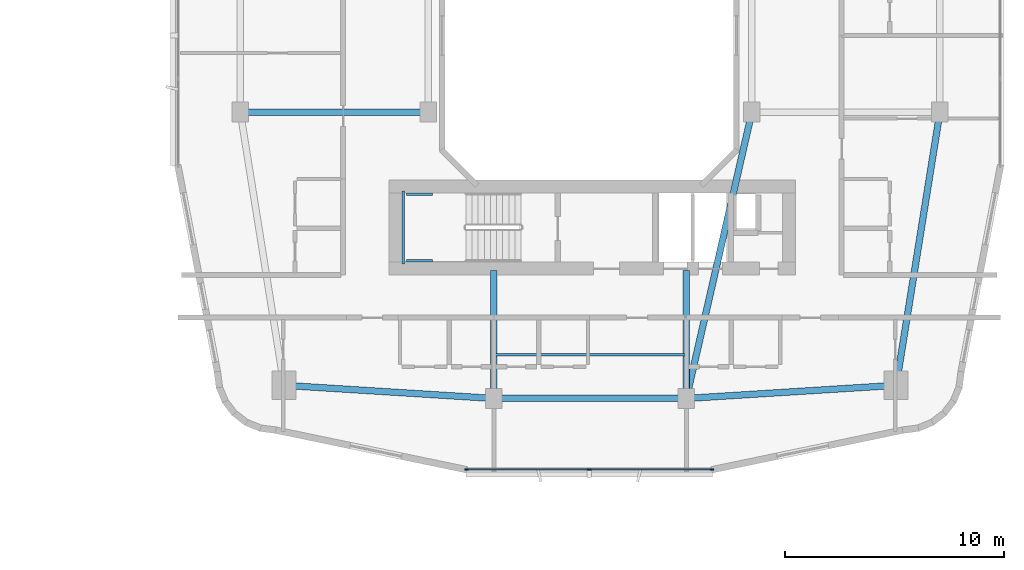
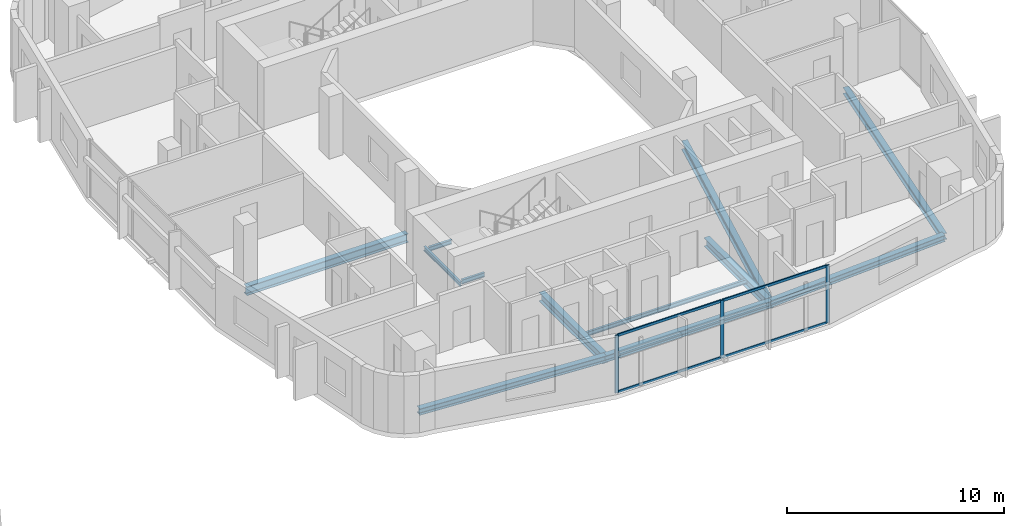
# One storey, part 8 of 26: 12 beams, 7 members, 1 element without a shape of its own.
"""IFC4 building model written with IfcOpenShell, lengths in metres."""

import ifcopenshell
import ifcopenshell.guid

model = None  # the IFC model being written
_history = None  # IfcOwnerHistory: only IFC2X3 demands one
_inside = {}  # id of a spatial element -> (the spatial element, [elements in it])
_under = {}  # id of a project, library or spatial element -> (it, [spatial elements below it])
_declared = {}  # id of a project -> (the project, [libraries it declares])
_typed = {}  # id of a type object -> (the type object, [elements of that type])
_made_of = {}  # id of a material, layer set ... -> (it, [elements and type objects made of it])


def new_model(schema):
    """Start an empty IFC model of exactly this schema.

    Asked for "IFC4X3", IfcOpenShell would pick the latest addendum, in which some entities
    have other attributes; the version numbers below select the first issue.
    IFC2X3 requires an IfcOwnerHistory on every rooted entity: one is made here for all.
    """
    global model, _history
    if schema == "IFC4X3":
        model = ifcopenshell.file(schema_version=(4, 3, 0, 0))
    else:
        model = ifcopenshell.file(schema=schema)
    _inside.clear()
    _under.clear()
    _declared.clear()
    _typed.clear()
    _made_of.clear()
    _history = None
    if model.schema == "IFC2X3":
        org = make("IfcOrganization", Name="unknown")
        user = make(
            "IfcPersonAndOrganization",
            ThePerson=make("IfcPerson", FamilyName="unknown"),
            TheOrganization=org,
        )
        app = make(
            "IfcApplication",
            ApplicationDeveloper=org,
            Version="unknown",
            ApplicationFullName="unknown",
            ApplicationIdentifier="unknown",
        )
        _history = make(
            "IfcOwnerHistory",
            OwningUser=user,
            OwningApplication=app,
            ChangeAction="ADDED",
            CreationDate=0,
        )
    return model


def make(cls, **values):
    """One entity of the class cls with the attributes given. An attribute that is None is left unset."""
    return model.create_entity(
        cls, **{name: value for name, value in values.items() if value is not None}
    )


def rooted(cls, **values):
    """An entity with a GlobalId (a new one), such as an element, a storey or a relation."""
    return make(cls, GlobalId=ifcopenshell.guid.new(), OwnerHistory=_history, **values)


def si_unit(unit_type, name, prefix=None):
    """IfcSIUnit, for example si_unit("LENGTHUNIT", "METRE", prefix="MILLI")."""
    return make("IfcSIUnit", UnitType=unit_type, Prefix=prefix, Name=name)


def derived_unit(unit_type, elements):
    """IfcDerivedUnit: a product of units, each with its exponent."""
    return make(
        "IfcDerivedUnit",
        Elements=[
            make("IfcDerivedUnitElement", Unit=unit, Exponent=power)
            for unit, power in elements
        ],
        UnitType=unit_type,
    )


def assignment(units):
    """IfcUnitAssignment: the units of a project."""
    return None if units is None else make("IfcUnitAssignment", Units=units)


def point(xyz):
    """IfcCartesianPoint."""
    return None if xyz is None else make("IfcCartesianPoint", Coordinates=xyz)


def direction(xyz):
    """IfcDirection."""
    return None if xyz is None else make("IfcDirection", DirectionRatios=xyz)


def frame(location, z_axis=None, x_axis=None):
    """IfcAxis2Placement3D, a coordinate frame: its origin and axes. An axis left out is left unset."""
    return make(
        "IfcAxis2Placement3D",
        Location=point(location),
        Axis=direction(z_axis),
        RefDirection=direction(x_axis),
    )


def frame_2d(location, x_axis=None):
    """IfcAxis2Placement2D, a coordinate frame in the plane: its origin and x axis."""
    return make(
        "IfcAxis2Placement2D", Location=point(location), RefDirection=direction(x_axis)
    )


def origin():
    """The frame at (0, 0, 0) with its axes left unset."""
    return frame((0.0, 0.0, 0.0))


def origin_2d():
    """The frame at (0, 0) in the plane with its x axis left unset."""
    return frame_2d((0.0, 0.0))


def place(relative_to, where):
    """IfcLocalPlacement: puts the frame where relative to a parent placement (None: the world)."""
    return make(
        "IfcLocalPlacement", PlacementRelTo=relative_to, RelativePlacement=where
    )


def context(
    kind, dimensions, precision=None, world=None, true_north=None, identifier=None
):
    """IfcGeometricRepresentationContext, for example the 3D "Model" context."""
    return make(
        "IfcGeometricRepresentationContext",
        ContextIdentifier=identifier,
        ContextType=kind,
        CoordinateSpaceDimension=dimensions,
        Precision=precision,
        WorldCoordinateSystem=world,
        TrueNorth=true_north,
    )


def subcontext(parent, identifier, kind, view, scale=None):
    """IfcGeometricRepresentationSubContext, for example "Body" below "Model"."""
    return make(
        "IfcGeometricRepresentationSubContext",
        ContextIdentifier=identifier,
        ContextType=kind,
        ParentContext=parent,
        TargetScale=scale,
        TargetView=view,
    )


def project(units=None, contexts=None):
    """IfcProject with its units and contexts."""
    return rooted(
        "IfcProject",
        Name="project",
        RepresentationContexts=contexts,
        UnitsInContext=assignment(units),
    )


def spatial(cls, under=None, at=None, **own):
    """A site, building, storey or space (cls), placed at a placement, below another one or the project."""
    s = rooted(cls, ObjectPlacement=at, **own)
    if under is not None:
        _under.setdefault(under.id(), (under, []))[1].append(s)
    return s


def profile(cls, at=None, kind="AREA", **sizes):
    """A parametric profile (cls). Its sizes go by their IFC names, for example OverallWidth=200.0."""
    return make(cls, ProfileType=kind, Position=at, **sizes)


def rectangle(**sizes):
    """IfcRectangleProfileDef."""
    return profile("IfcRectangleProfileDef", **sizes)


def i_section(**sizes):
    """IfcIShapeProfileDef."""
    return profile("IfcIShapeProfileDef", **sizes)


def extrude(swept, where, along, depth):
    """IfcExtrudedAreaSolid: the profile swept, set in the frame where, extruded along a direction by depth."""
    return make(
        "IfcExtrudedAreaSolid",
        SweptArea=swept,
        Position=where,
        ExtrudedDirection=direction(along),
        Depth=depth,
    )


def shape(context_of_items, identifier, shape_type, items):
    """IfcShapeRepresentation: the items that make up one representation, for example the "Body"."""
    return make(
        "IfcShapeRepresentation",
        ContextOfItems=context_of_items,
        RepresentationIdentifier=identifier,
        RepresentationType=shape_type,
        Items=items,
    )


def material(Name=None, Category=None):
    """IfcMaterial."""
    return make("IfcMaterial", Name=Name, Category=Category)


def layer(
    of_material, thickness, ventilated=None, Name=None, Category=None, Priority=None
):
    """IfcMaterialLayer: one layer of a wall or slab, of a material (None: an air gap)."""
    return make(
        "IfcMaterialLayer",
        Material=of_material,
        LayerThickness=thickness,
        IsVentilated=ventilated,
        Name=Name,
        Category=Category,
        Priority=Priority,
    )


def layer_set(layers, Name=None):
    """IfcMaterialLayerSet."""
    return make("IfcMaterialLayerSet", MaterialLayers=layers, LayerSetName=Name)


def material_profile(
    of_material, cross_section, Name=None, Category=None, Priority=None
):
    """IfcMaterialProfile: a cross section and its material."""
    return make(
        "IfcMaterialProfile",
        Name=Name,
        Material=of_material,
        Profile=cross_section,
        Priority=Priority,
        Category=Category,
    )


def profile_set(profiles, Name=None, composite=None):
    """IfcMaterialProfileSet."""
    return make(
        "IfcMaterialProfileSet",
        Name=Name,
        MaterialProfiles=profiles,
        CompositeProfile=composite,
    )


def made_of(thing, what):
    """Note that an element or type object is made of a material, layer set ...; save() writes the relation."""
    if what is not None:
        _made_of.setdefault(what.id(), (what, []))[1].append(thing)
    return thing


def type_object(cls, material=None, **own):
    """A type object (cls), such as IfcWallType, which elements share."""
    return made_of(rooted(cls, **own), material)


def element(
    cls,
    number,
    at=None,
    inside=None,
    cuts=None,
    type_object=None,
    material=None,
    context=None,
    identifier="Body",
    shape_type=None,
    held_by="IfcProductDefinitionShape",
    body=None,
    shapes=None,
    **own,
):
    """One element of the class cls, such as IfcWall. Its Tag is "e" and its number.

    at: its placement. inside: the storey or other place that contains it. cuts: it is an
    opening in that element (IfcRelVoidsElement). A single representation is given by context,
    identifier, shape_type and body (its items); several are given by shapes. held_by: the class
    of the entity that holds the representations. save() writes the other relations.
    """
    e = rooted(cls, Tag="e%d" % number, ObjectPlacement=at, **own)
    if body is not None:
        shapes = [shape(context, identifier, shape_type, body)]
    if shapes is not None:
        e.Representation = make(held_by, Representations=shapes)
    if inside is not None:
        _inside.setdefault(inside.id(), (inside, []))[1].append(e)
    if cuts is not None:
        rooted(
            "IfcRelVoidsElement", RelatingBuildingElement=cuts, RelatedOpeningElement=e
        )
    if type_object is not None:
        _typed.setdefault(type_object.id(), (type_object, []))[1].append(e)
    return made_of(e, material)


def aggregate(whole, parts):
    """IfcRelAggregates: a whole, such as a stair, and the parts it consists of."""
    return rooted("IfcRelAggregates", RelatingObject=whole, RelatedObjects=parts)


def save(model, path):
    """Write the relations noted so far, then the file.

    IfcRelAggregates (storeys below a building ...), IfcRelContainedInSpatialStructure (elements
    in a storey), IfcRelDefinesByType, IfcRelAssociatesMaterial and IfcRelDeclares: one each for
    every whole, place, type object, material and project.
    """
    for whole, parts in _under.values():
        aggregate(whole, parts)
    for where, things in _inside.values():
        rooted(
            "IfcRelContainedInSpatialStructure",
            RelatedElements=things,
            RelatingStructure=where,
        )
    for kind, things in _typed.values():
        rooted("IfcRelDefinesByType", RelatedObjects=things, RelatingType=kind)
    for what, things in _made_of.values():
        rooted("IfcRelAssociatesMaterial", RelatedObjects=things, RelatingMaterial=what)
    for by, libraries in _declared.values():
        rooted("IfcRelDeclares", RelatingContext=by, RelatedDefinitions=libraries)
    model.write(path)


model = new_model("IFC4")

# Units and contexts
model_context = context("Model", 3, precision=1e-05, world=origin(), true_north=direction((0.0, 1.0)))
body_context = subcontext(model_context, "Body", "Model", "MODEL_VIEW")
ifc_project = project(units=[si_unit("LENGTHUNIT", "METRE"), si_unit("AREAUNIT", "SQUARE_METRE"), si_unit("VOLUMEUNIT", "CUBIC_METRE"), si_unit("PLANEANGLEUNIT", "RADIAN"), si_unit("MASSUNIT", "GRAM", prefix="KILO"), derived_unit("THERMALTRANSMITTANCEUNIT", [(si_unit("POWERUNIT", "WATT"), 1), (si_unit("LENGTHUNIT", "METRE"), -2), (si_unit("THERMODYNAMICTEMPERATUREUNIT", "KELVIN"), -1)])], contexts=[model_context])

# Site, building, storey
site_placement = place(None, origin())
site = spatial("IfcSite", under=ifc_project, at=site_placement, CompositionType="ELEMENT")
building_placement = place(site_placement, origin())
building = spatial("IfcBuilding", under=site, at=building_placement, Name="Kivonza Crest Hotel", CompositionType="ELEMENT")
storey_placement = place(building_placement, frame((0.0, 0.0, 52.0)))
storey = spatial("IfcBuildingStorey", under=building, at=storey_placement, Name="L13", CompositionType="ELEMENT", Elevation=52.0)

# Beams
ifc_material_1 = material(Name="Steel S355", Category="steel")
ifc_material_profile_1 = material_profile(ifc_material_1, i_section(OverallWidth=0.300048828125, OverallDepth=0.360107421875, WebThickness=0.012451171875, FlangeThickness=0.0224609375, FilletRadius=0.027099609375, at=origin_2d()), Name="HEB 360")
ifc_profile_set_1 = profile_set([ifc_material_profile_1], Name="Steel S355")
beam_type_1 = type_object("IfcBeamType", Name="BM-HEB360", PredefinedType="SPANDREL", material=ifc_profile_set_1)
beam_1_placement = place(storey_placement, frame((72.60009765625, 8.39990234375, -0.429931640625), z_axis=(1.0, 0.0, 0.0), x_axis=(0.0, 1.0, 0.0)))
element("IfcBeam", 1, at=beam_1_placement, inside=storey, type_object=beam_type_1, Name="Companion Tower T2 L13 perimeter spandrel S1-S2", PredefinedType="SPANDREL", context=body_context, shape_type="SweptSolid", body=[
    extrude(i_section(OverallWidth=0.300048828125, OverallDepth=0.360107421875, WebThickness=0.012451171875, FlangeThickness=0.0224609375, FilletRadius=0.027099609375, at=origin_2d()), origin(), (0.0, 0.0, 1.0), 8.7998046875),
])
beam_2_placement = place(storey_placement, frame((81.39990234375, 8.39990234375, -0.429931640625), z_axis=(0.998051985873, 0.062387767186, 0.0), x_axis=(-0.062387767186, 0.998051985873, 0.0)))
element("IfcBeam", 2, at=beam_2_placement, inside=storey, type_object=beam_type_1, Name="Companion Tower T2 L13 perimeter spandrel S2-SE", PredefinedType="SPANDREL", context=body_context, shape_type="SweptSolid", body=[
    extrude(i_section(OverallWidth=0.300048828125, OverallDepth=0.360107421875, WebThickness=0.012451171875, FlangeThickness=0.0224609375, FilletRadius=0.027099609375, at=origin_2d()), origin(), (0.0, 0.0, 1.0), 9.618896484375),
])
beam_3_placement = place(storey_placement, frame((91.0, 9.0, -0.429931640625), z_axis=(0.157990501107, 0.987440631917, 0.0), x_axis=(-0.987440631917, 0.157990501107, 0.0)))
element("IfcBeam", 3, at=beam_3_placement, inside=storey, type_object=beam_type_1, Name="Companion Tower T2 L13 perimeter spandrel SE-E1", PredefinedType="SPANDREL", context=body_context, shape_type="SweptSolid", body=[
    extrude(i_section(OverallWidth=0.300048828125, OverallDepth=0.360107421875, WebThickness=0.012451171875, FlangeThickness=0.0224609375, FilletRadius=0.027099609375, at=origin_2d()), origin(), (0.0, 0.0, 1.0), 12.658935546875),
])
beam_4_placement = place(storey_placement, frame((63.0, 9.0, -0.429931640625), z_axis=(0.998051985873, -0.062387767186, 0.0), x_axis=(0.062387767186, 0.998051985873, 0.0)))
element("IfcBeam", 4, at=beam_4_placement, inside=storey, type_object=beam_type_1, Name="Companion Tower T2 L13 perimeter spandrel SW-S1", PredefinedType="SPANDREL", context=body_context, shape_type="SweptSolid", body=[
    extrude(i_section(OverallWidth=0.300048828125, OverallDepth=0.360107421875, WebThickness=0.012451171875, FlangeThickness=0.0224609375, FilletRadius=0.027099609375, at=origin_2d()), origin(), (0.0, 0.0, 1.0), 9.618896484375),
])
ifc_material_profile_2 = material_profile(ifc_material_1, i_section(OverallWidth=0.300048828125, OverallDepth=0.5, WebThickness=0.014404296875, FlangeThickness=0.028076171875, FilletRadius=0.027099609375, at=origin_2d()), Name="HEB 500")
ifc_profile_set_2 = profile_set([ifc_material_profile_2], Name="Steel S355")
beam_type_2 = type_object("IfcBeamType", Name="BM-HEB500", PredefinedType="BEAM", material=ifc_profile_set_2)
beam_5_placement = place(storey_placement, frame((61.0, 21.5, -0.5), z_axis=(1.0, 0.0, 0.0), x_axis=(0.0, 1.0, 0.0)))
element("IfcBeam", 5, at=beam_5_placement, inside=storey, type_object=beam_type_2, Name="Companion Tower T2 L13 girder W1-WL1", PredefinedType="BEAM", context=body_context, shape_type="SweptSolid", body=[
    extrude(i_section(OverallWidth=0.300048828125, OverallDepth=0.5, WebThickness=0.014404296875, FlangeThickness=0.028076171875, FilletRadius=0.027099609375, at=origin_2d()), origin(), (0.0, 0.0, 1.0), 8.60009765625),
])
beam_6_placement = place(storey_placement, frame((84.39990234375, 21.5, -0.5), z_axis=(-0.223227287589, -0.974766422317, 0.0), x_axis=(0.974766422317, -0.223227287589, 0.0)))
element("IfcBeam", 6, at=beam_6_placement, inside=storey, type_object=beam_type_2, Name="Companion Tower T2 L13 girder WR1-S2", PredefinedType="BEAM", context=body_context, shape_type="SweptSolid", body=[
    extrude(i_section(OverallWidth=0.300048828125, OverallDepth=0.5, WebThickness=0.014404296875, FlangeThickness=0.028076171875, FilletRadius=0.027099609375, at=origin_2d()), origin(), (0.0, 0.0, 1.0), 13.439208984375),
])
for number, where, z_axis, x_axis, name in (
    (7, (72.60009765625, 8.39990234375, -0.5), (0.0, 1.0, 0.0), (-1.0, 0.0, 0.0), "Companion T2 L13 radial core girder RS1"),
    (8, (81.39990234375, 8.39990234375, -0.5), (0.0, 1.0, 0.0), (-1.0, 0.0, 0.0), "Companion T2 L13 radial core girder RS2"),
):
    element("IfcBeam", number, at=place(storey_placement, frame(where, z_axis=z_axis, x_axis=x_axis)), inside=storey, type_object=beam_type_2, Name=name, PredefinedType="BEAM", context=body_context, shape_type="SweptSolid", body=[
        extrude(i_section(OverallWidth=0.300048828125, OverallDepth=0.5, WebThickness=0.014404296875, FlangeThickness=0.028076171875, FilletRadius=0.027099609375, at=origin_2d()), origin(), (0.0, 0.0, 1.0), 5.85009765625),
    ])
ifc_material_profile_3 = material_profile(ifc_material_1, i_section(OverallWidth=0.1201171875, OverallDepth=0.239990234375, WebThickness=0.006103515625, FlangeThickness=0.009765625, FilletRadius=0.014892578125, at=origin_2d()), Name="IPE 240")
ifc_profile_set_3 = profile_set([ifc_material_profile_3], Name="Steel S355")
beam_type_3 = type_object("IfcBeamType", Name="BM-IPE240", PredefinedType="JOIST", material=ifc_profile_set_3)
beam_7_placement = place(storey_placement, frame((72.679931640625, 10.39990234375, -0.3701171875), z_axis=(1.0, 0.0, 0.0), x_axis=(0.0, 1.0, 0.0)))
element("IfcBeam", 9, at=beam_7_placement, inside=storey, type_object=beam_type_3, Name="Companion Tower T2 L13 South floor joist", PredefinedType="JOIST", context=body_context, shape_type="SweptSolid", body=[
    extrude(i_section(OverallWidth=0.1201171875, OverallDepth=0.239990234375, WebThickness=0.006103515625, FlangeThickness=0.009765625, FilletRadius=0.014892578125, at=origin_2d()), origin(), (0.0, 0.0, 1.0), 8.64013671875),
])
ifc_material_profile_4 = material_profile(ifc_material_1, i_section(OverallWidth=0.1201171875, OverallDepth=0.239990234375, WebThickness=0.006103515625, FlangeThickness=0.009765625, FilletRadius=0.014892578125, at=origin_2d()), Name="IPE 240")
ifc_profile_set_4 = profile_set([ifc_material_profile_4], Name="Steel S355")
beam_type_4 = type_object("IfcBeamType", Name="BM-LLDG-240", PredefinedType="BEAM", material=ifc_profile_set_4)
beam_8_placement = place(storey_placement, frame((68.4599609375, 14.5400390625, 1.429931640625), z_axis=(0.0, 1.0, 0.0), x_axis=(-1.0, 0.0, 0.0)))
element("IfcBeam", 10, at=beam_8_placement, inside=storey, type_object=beam_type_4, Name="Stair ST-T2-S L13 West landing corbel", PredefinedType="BEAM", context=body_context, shape_type="SweptSolid", body=[
    extrude(i_section(OverallWidth=0.1201171875, OverallDepth=0.239990234375, WebThickness=0.006103515625, FlangeThickness=0.009765625, FilletRadius=0.014892578125, at=origin_2d()), origin(), (0.0, 0.0, 1.0), 3.35986328125),
])
for number, where, z_axis, x_axis, name in (
    (11, (68.590087890625, 14.699951171875, 1.429931640625), (1.0, 0.0, 0.0), (0.0, 1.0, 0.0), "Stair ST-T2-S L13 South landing corbel"),
    (12, (68.590087890625, 17.739990234375, 1.429931640625), (1.0, 0.0, 0.0), (0.0, 1.0, 0.0), "Stair ST-T2-S L13 North landing corbel"),
):
    element("IfcBeam", number, at=place(storey_placement, frame(where, z_axis=z_axis, x_axis=x_axis)), inside=storey, type_object=beam_type_4, Name=name, PredefinedType="BEAM", context=body_context, shape_type="SweptSolid", body=[
        extrude(i_section(OverallWidth=0.1201171875, OverallDepth=0.239990234375, WebThickness=0.006103515625, FlangeThickness=0.009765625, FilletRadius=0.014892578125, at=origin_2d()), origin(), (0.0, 0.0, 1.0), 1.2099609375),
    ])

# Curtain wall, members
ifc_material_2 = material(Name="Anodised bronze aluminium and low-E double glazing", Category="aluminium")
ifc_layer = layer(ifc_material_2, 0.179931640625)
ifc_layer_set = layer_set([ifc_layer], Name="Anodised bronze aluminium and low-E double glazing")
curtain_wall_type = type_object("IfcCurtainWallType", Name="CW-SYS-4", PredefinedType="NOTDEFINED", material=ifc_layer_set)
curtain_wall_placement = place(storey_placement, origin())
curtain_wall = element("IfcCurtainWall", 13, at=curtain_wall_placement, inside=storey, type_object=curtain_wall_type, Name="L13 unitised curtain wall CW-T2-L13-08", PredefinedType="NOTDEFINED")
ifc_material_3 = material(Name="Anodised bronze aluminium", Category="aluminium")
ifc_material_profile_5 = material_profile(ifc_material_3, rectangle(XDim=0.06494140625, YDim=0.179931640625, at=origin_2d()), Name="CW-M 65x180")
ifc_profile_set_5 = profile_set([ifc_material_profile_5], Name="Anodised bronze aluminium")
member_type_1 = type_object("IfcMemberType", Name="CW-MUL-65x180", PredefinedType="MULLION", material=ifc_profile_set_5)
member_1_placement = place(storey_placement, frame((71.344482421875, 5.159912109375, 0.0), z_axis=(0.0, 0.0, 1.0), x_axis=(0.0, 1.0, 0.0)))
member_1 = element("IfcMember", 14, at=member_1_placement, type_object=member_type_1, Name="CW-4 mullion 1", PredefinedType="MULLION", context=body_context, shape_type="SweptSolid", body=[
    extrude(rectangle(XDim=0.06494140625, YDim=0.179931640625, at=origin_2d()), origin(), (0.0, 0.0, 1.0), 3.25),
])
member_2_placement = place(storey_placement, frame((76.9599609375, 5.159912109375, 0.0), z_axis=(0.0, 0.0, 1.0), x_axis=(0.0, 1.0, 0.0)))
member_2 = element("IfcMember", 15, at=member_2_placement, type_object=member_type_1, Name="CW-4 mullion 2", PredefinedType="MULLION", context=body_context, shape_type="SweptSolid", body=[
    extrude(rectangle(XDim=0.06494140625, YDim=0.179931640625, at=origin_2d()), origin(), (0.0, 0.0, 1.0), 3.25),
])
member_3_placement = place(storey_placement, frame((82.575439453125, 5.159912109375, 0.0), z_axis=(0.0, 0.0, 1.0), x_axis=(0.0, 1.0, 0.0)))
member_3 = element("IfcMember", 16, at=member_3_placement, type_object=member_type_1, Name="CW-4 mullion 3", PredefinedType="MULLION", context=body_context, shape_type="SweptSolid", body=[
    extrude(rectangle(XDim=0.06494140625, YDim=0.179931640625, at=origin_2d()), origin(), (0.0, 0.0, 1.0), 3.25),
])
ifc_material_profile_6 = material_profile(ifc_material_3, rectangle(XDim=0.06494140625, YDim=0.139892578125, at=origin_2d()), Name="CW-T 65x140")
ifc_profile_set_6 = profile_set([ifc_material_profile_6], Name="Anodised bronze aluminium")
member_type_2 = type_object("IfcMemberType", Name="CW-TRN-65x140", PredefinedType="USERDEFINED", material=ifc_profile_set_6)
member_4_placement = place(storey_placement, frame((71.376953125, 5.159912109375, 0.032470703125), z_axis=(1.0, 0.0, 0.0), x_axis=(0.0, 1.0, 0.0)))
member_4 = element("IfcMember", 17, at=member_4_placement, type_object=member_type_2, Name="CW-4 transom 1.1", ObjectType="TRANSOM", PredefinedType="USERDEFINED", context=body_context, shape_type="SweptSolid", body=[
    extrude(rectangle(XDim=0.06494140625, YDim=0.139892578125, at=origin_2d()), origin(), (0.0, 0.0, 1.0), 5.550537109375),
])
member_5_placement = place(storey_placement, frame((71.376953125, 5.159912109375, 3.217529296875), z_axis=(1.0, 0.0, 0.0), x_axis=(0.0, 1.0, 0.0)))
member_5 = element("IfcMember", 18, at=member_5_placement, type_object=member_type_2, Name="CW-4 transom 1.2", ObjectType="TRANSOM", PredefinedType="USERDEFINED", context=body_context, shape_type="SweptSolid", body=[
    extrude(rectangle(XDim=0.06494140625, YDim=0.139892578125, at=origin_2d()), origin(), (0.0, 0.0, 1.0), 5.550537109375),
])
member_6_placement = place(storey_placement, frame((76.992431640625, 5.159912109375, 0.032470703125), z_axis=(1.0, 0.0, 0.0), x_axis=(0.0, 1.0, 0.0)))
member_6 = element("IfcMember", 19, at=member_6_placement, type_object=member_type_2, Name="CW-4 transom 2.1", ObjectType="TRANSOM", PredefinedType="USERDEFINED", context=body_context, shape_type="SweptSolid", body=[
    extrude(rectangle(XDim=0.06494140625, YDim=0.139892578125, at=origin_2d()), origin(), (0.0, 0.0, 1.0), 5.550537109375),
])
member_7_placement = place(storey_placement, frame((76.992431640625, 5.159912109375, 3.217529296875), z_axis=(1.0, 0.0, 0.0), x_axis=(0.0, 1.0, 0.0)))
member_7 = element("IfcMember", 20, at=member_7_placement, type_object=member_type_2, Name="CW-4 transom 2.2", ObjectType="TRANSOM", PredefinedType="USERDEFINED", context=body_context, shape_type="SweptSolid", body=[
    extrude(rectangle(XDim=0.06494140625, YDim=0.139892578125, at=origin_2d()), origin(), (0.0, 0.0, 1.0), 5.550537109375),
])
aggregate(curtain_wall, [member_1, member_2, member_3, member_4, member_5, member_6, member_7])

save(model, "model.ifc")
